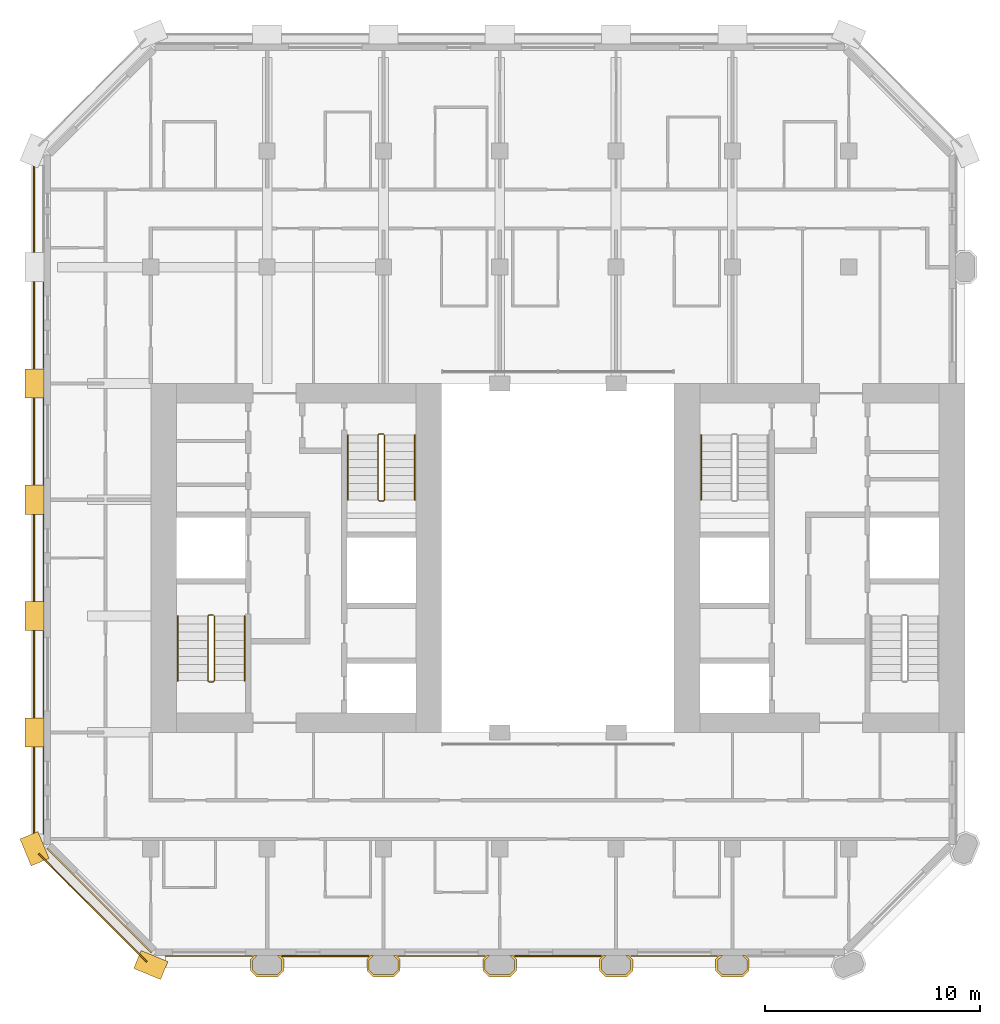
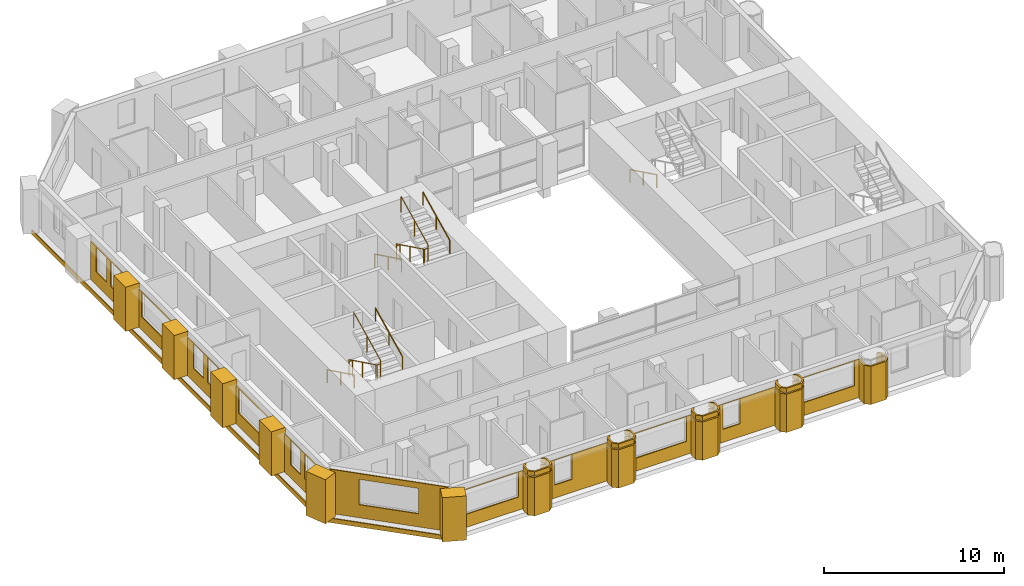
# One storey, part 12 of 13: 28 coverings, 7 railings.
"""IFC4 building model written with IfcOpenShell, lengths in metres."""

from ifc_helpers import new_model, si_unit, direction, frame, frame_2d, origin, origin_2d, place, context, subcontext, project, spatial, polyline, rectangle, circle, outline, extrude, material, layer, layer_set, type_object, element, save


model = new_model("IFC4")

# Units and contexts
model_context = context("Model", 3, precision=1e-05, world=origin(), true_north=direction((0.0, 1.0)))
body_context = subcontext(model_context, "Body", "Model", "MODEL_VIEW")
ifc_project = project(units=[si_unit("LENGTHUNIT", "METRE"), si_unit("AREAUNIT", "SQUARE_METRE"), si_unit("VOLUMEUNIT", "CUBIC_METRE"), si_unit("PLANEANGLEUNIT", "RADIAN"), si_unit("MASSUNIT", "GRAM", prefix="KILO")], contexts=[model_context])

# Site, building, storey
site_placement = place(None, origin())
site = spatial("IfcSite", under=ifc_project, at=site_placement, CompositionType="ELEMENT")
building_placement = place(site_placement, origin())
building = spatial("IfcBuilding", under=site, at=building_placement, Name="Tabaq Tower and Sports Hall", CompositionType="ELEMENT")
storey_placement = place(building_placement, frame((0.0, 0.0, 220.300048828125)))
storey = spatial("IfcBuildingStorey", under=building, at=storey_placement, Name="L55", CompositionType="ELEMENT", Elevation=220.300048828125)

# Coverings
ifc_material_1 = material(Name="Precast concrete C60/75", Category="concrete")
ifc_layer_1 = layer(ifc_material_1, 0.10009765625)
ifc_layer_set_1 = layer_set([ifc_layer_1], Name="Column cladding 100")
covering_type_1 = type_object("IfcCoveringType", Name="Column cladding 100", PredefinedType="CLADDING", material=ifc_layer_set_1)
covering_1_placement = place(storey_placement, origin())
element("IfcCovering", 1, at=covering_1_placement, inside=storey, type_object=covering_type_1, Name="Column cladding L55 PC-3B-H3", PredefinedType="CLADDING", context=body_context, shape_type="SweptSolid", body=[
    extrude(outline(polyline([(10.025390625, 5.666259765625), (10.208740234375, 5.849609375), (10.349365234375, 5.849609375), (10.124755859375, 5.625244140625), (10.124755859375, 5.1748046875), (10.349853515625, 4.94970703125), (11.250244140625, 4.94970703125), (11.475341796875, 5.1748046875), (11.475341796875, 5.625244140625), (11.250732421875, 5.849609375), (11.391357421875, 5.849609375), (11.57470703125, 5.666259765625), (11.57470703125, 5.1337890625), (11.291259765625, 4.850341796875), (10.30859375, 4.850341796875), (10.025390625, 5.1337890625), (10.025390625, 5.666259765625)])), origin(), (0.0, 0.0, 1.0), 2.599853515625),
])
covering_2_placement = place(storey_placement, frame((0.0, 0.0, 2.699951171875)))
element("IfcCovering", 2, at=covering_2_placement, inside=storey, type_object=covering_type_1, Name="Column cladding L55 PC-3B-H3 2", PredefinedType="CLADDING", context=body_context, shape_type="SweptSolid", body=[
    extrude(outline(polyline([(10.025390625, 5.666259765625), (10.208740234375, 5.849609375), (10.349365234375, 5.849609375), (10.124755859375, 5.625244140625), (10.124755859375, 5.1748046875), (10.349853515625, 4.94970703125), (11.250244140625, 4.94970703125), (11.475341796875, 5.1748046875), (11.475341796875, 5.625244140625), (11.250732421875, 5.849609375), (11.391357421875, 5.849609375), (11.57470703125, 5.666259765625), (11.57470703125, 5.1337890625), (11.291259765625, 4.850341796875), (10.30859375, 4.850341796875), (10.025390625, 5.1337890625), (10.025390625, 5.666259765625)])), origin(), (0.0, 0.0, 1.0), 0.300048828125),
])
covering_3_placement = place(storey_placement, origin())
element("IfcCovering", 3, at=covering_3_placement, inside=storey, type_object=covering_type_1, Name="Column cladding L55 PC-4B-H3", PredefinedType="CLADDING", context=body_context, shape_type="SweptSolid", body=[
    extrude(outline(polyline([(15.42529296875, 5.666259765625), (15.608642578125, 5.849609375), (15.749267578125, 5.849609375), (15.524658203125, 5.625244140625), (15.524658203125, 5.1748046875), (15.749755859375, 4.94970703125), (16.650146484375, 4.94970703125), (16.875244140625, 5.1748046875), (16.875244140625, 5.625244140625), (16.650634765625, 5.849609375), (16.791259765625, 5.849609375), (16.974609375, 5.666259765625), (16.974609375, 5.1337890625), (16.69140625, 4.850341796875), (15.708740234375, 4.850341796875), (15.42529296875, 5.1337890625), (15.42529296875, 5.666259765625)])), origin(), (0.0, 0.0, 1.0), 2.599853515625),
])
covering_4_placement = place(storey_placement, frame((0.0, 0.0, 2.699951171875)))
element("IfcCovering", 4, at=covering_4_placement, inside=storey, type_object=covering_type_1, Name="Column cladding L55 PC-4B-H3 2", PredefinedType="CLADDING", context=body_context, shape_type="SweptSolid", body=[
    extrude(outline(polyline([(15.42529296875, 5.666259765625), (15.608642578125, 5.849609375), (15.749267578125, 5.849609375), (15.524658203125, 5.625244140625), (15.524658203125, 5.1748046875), (15.749755859375, 4.94970703125), (16.650146484375, 4.94970703125), (16.875244140625, 5.1748046875), (16.875244140625, 5.625244140625), (16.650634765625, 5.849609375), (16.791259765625, 5.849609375), (16.974609375, 5.666259765625), (16.974609375, 5.1337890625), (16.69140625, 4.850341796875), (15.708740234375, 4.850341796875), (15.42529296875, 5.1337890625), (15.42529296875, 5.666259765625)])), origin(), (0.0, 0.0, 1.0), 0.300048828125),
])
covering_5_placement = place(storey_placement, origin())
element("IfcCovering", 5, at=covering_5_placement, inside=storey, type_object=covering_type_1, Name="Column cladding L55 PC-5B-H3", PredefinedType="CLADDING", context=body_context, shape_type="SweptSolid", body=[
    extrude(outline(polyline([(20.8251953125, 5.666259765625), (21.0087890625, 5.849609375), (21.149169921875, 5.849609375), (20.9248046875, 5.625244140625), (20.9248046875, 5.1748046875), (21.14990234375, 4.94970703125), (22.050048828125, 4.94970703125), (22.275390625, 5.1748046875), (22.275390625, 5.625244140625), (22.05078125, 5.849609375), (22.19140625, 5.849609375), (22.374755859375, 5.666259765625), (22.374755859375, 5.1337890625), (22.09130859375, 4.850341796875), (21.108642578125, 4.850341796875), (20.8251953125, 5.1337890625), (20.8251953125, 5.666259765625)])), origin(), (0.0, 0.0, 1.0), 2.599853515625),
])
covering_6_placement = place(storey_placement, frame((0.0, 0.0, 2.699951171875)))
element("IfcCovering", 6, at=covering_6_placement, inside=storey, type_object=covering_type_1, Name="Column cladding L55 PC-5B-H3 2", PredefinedType="CLADDING", context=body_context, shape_type="SweptSolid", body=[
    extrude(outline(polyline([(20.8251953125, 5.666259765625), (21.0087890625, 5.849609375), (21.149169921875, 5.849609375), (20.9248046875, 5.625244140625), (20.9248046875, 5.1748046875), (21.14990234375, 4.94970703125), (22.050048828125, 4.94970703125), (22.275390625, 5.1748046875), (22.275390625, 5.625244140625), (22.05078125, 5.849609375), (22.19140625, 5.849609375), (22.374755859375, 5.666259765625), (22.374755859375, 5.1337890625), (22.09130859375, 4.850341796875), (21.108642578125, 4.850341796875), (20.8251953125, 5.1337890625), (20.8251953125, 5.666259765625)])), origin(), (0.0, 0.0, 1.0), 0.300048828125),
])
covering_7_placement = place(storey_placement, origin())
element("IfcCovering", 7, at=covering_7_placement, inside=storey, type_object=covering_type_1, Name="Column cladding L55 PC-6B-H3", PredefinedType="CLADDING", context=body_context, shape_type="SweptSolid", body=[
    extrude(outline(polyline([(26.225341796875, 5.666259765625), (26.40869140625, 5.849609375), (26.54931640625, 5.849609375), (26.32470703125, 5.625244140625), (26.32470703125, 5.1748046875), (26.5498046875, 4.94970703125), (27.4501953125, 4.94970703125), (27.67529296875, 5.1748046875), (27.67529296875, 5.625244140625), (27.45068359375, 5.849609375), (27.59130859375, 5.849609375), (27.774658203125, 5.666259765625), (27.774658203125, 5.1337890625), (27.4912109375, 4.850341796875), (26.5087890625, 4.850341796875), (26.225341796875, 5.1337890625), (26.225341796875, 5.666259765625)])), origin(), (0.0, 0.0, 1.0), 2.599853515625),
])
covering_8_placement = place(storey_placement, frame((0.0, 0.0, 2.699951171875)))
element("IfcCovering", 8, at=covering_8_placement, inside=storey, type_object=covering_type_1, Name="Column cladding L55 PC-6B-H3 2", PredefinedType="CLADDING", context=body_context, shape_type="SweptSolid", body=[
    extrude(outline(polyline([(26.225341796875, 5.666259765625), (26.40869140625, 5.849609375), (26.54931640625, 5.849609375), (26.32470703125, 5.625244140625), (26.32470703125, 5.1748046875), (26.5498046875, 4.94970703125), (27.4501953125, 4.94970703125), (27.67529296875, 5.1748046875), (27.67529296875, 5.625244140625), (27.45068359375, 5.849609375), (27.59130859375, 5.849609375), (27.774658203125, 5.666259765625), (27.774658203125, 5.1337890625), (27.4912109375, 4.850341796875), (26.5087890625, 4.850341796875), (26.225341796875, 5.1337890625), (26.225341796875, 5.666259765625)])), origin(), (0.0, 0.0, 1.0), 0.300048828125),
])
covering_9_placement = place(storey_placement, origin())
element("IfcCovering", 9, at=covering_9_placement, inside=storey, type_object=covering_type_1, Name="Column cladding L55 PC-7B-H3", PredefinedType="CLADDING", context=body_context, shape_type="SweptSolid", body=[
    extrude(outline(polyline([(31.625244140625, 5.666259765625), (31.80859375, 5.849609375), (31.94921875, 5.849609375), (31.724609375, 5.625244140625), (31.724609375, 5.1748046875), (31.949951171875, 4.94970703125), (32.85009765625, 4.94970703125), (33.0751953125, 5.1748046875), (33.0751953125, 5.625244140625), (32.850830078125, 5.849609375), (32.9912109375, 5.849609375), (33.1748046875, 5.666259765625), (33.1748046875, 5.1337890625), (32.891357421875, 4.850341796875), (31.90869140625, 4.850341796875), (31.625244140625, 5.1337890625), (31.625244140625, 5.666259765625)])), origin(), (0.0, 0.0, 1.0), 2.599853515625),
])
ifc_material_2 = material(Name="Precast concrete C60/75", Category="concrete")
ifc_layer_2 = layer(ifc_material_2, 0.06005859375)
ifc_layer_set_2 = layer_set([ifc_layer_2], Name="Edge beam cladding 60")
covering_type_2 = type_object("IfcCoveringType", Name="Edge beam cladding 60", PredefinedType="CLADDING", material=ifc_layer_set_2)
covering_10_placement = place(storey_placement, frame((-0.030029296875, 42.9013671875, -0.300048828125), z_axis=(0.0, 0.0, 1.0), x_axis=(0.0, -1.0, 0.0)))
element("IfcCovering", 10, at=covering_10_placement, inside=storey, type_object=covering_type_2, Name="Edge beam cladding L55 4", PredefinedType="CLADDING", context=body_context, shape_type="SweptSolid", body=[
    extrude(rectangle(XDim=31.802734375, YDim=0.06005859375, at=frame_2d((15.9013671875, 0.0))), origin(), (0.0, 0.0, 1.0), 0.300048828125),
])
covering_11_placement = place(storey_placement, frame((0.18994140625, 10.567626953125, -0.300048828125), z_axis=(0.0, 0.0, 1.0), x_axis=(0.707106781187, -0.707106781187, 0.0)))
element("IfcCovering", 11, at=covering_11_placement, inside=storey, type_object=covering_type_2, Name="Edge beam cladding L55 5", PredefinedType="CLADDING", context=body_context, shape_type="SweptSolid", body=[
    extrude(rectangle(XDim=7.087890625, YDim=0.06005859375, at=frame_2d((3.5439453125, 0.0))), origin(), (0.0, 0.0, 1.0), 0.300048828125),
])
ifc_material_3 = material(Name="White precast concrete C60/75", Category="concrete")
covering_type_3 = type_object("IfcCoveringType", Name="Pier cladding hung 1350x900", PredefinedType="CLADDING", material=ifc_material_3)
for number, where, z_axis, x_axis, name in (
    (12, (-0.25830078125, 11.423583984375, 0.0), (0.0, 0.0, 1.0), (0.382649923473, -0.923893411637, 0.0), "Hung pier cladding 0/2"),
    (13, (0.0, 16.875, 0.0), (0.0, 0.0, 1.0), (0.0, -1.0, 0.0), "Hung pier cladding 0/3"),
):
    element("IfcCovering", number, at=place(storey_placement, frame(where, z_axis=z_axis, x_axis=x_axis)), inside=storey, type_object=covering_type_3, Name=name, PredefinedType="CLADDING", context=body_context, shape_type="SweptSolid", body=[
        extrude(rectangle(XDim=1.35009765625, YDim=0.89990234375, at=frame_2d((0.675048828125, 0.0))), origin(), (0.0, 0.0, 1.0), 3.0),
    ])
covering_12_placement = place(storey_placement, frame((0.0, 22.27490234375, 0.0), z_axis=(0.0, 0.0, 1.0), x_axis=(0.0, -1.0, 0.0)))
element("IfcCovering", 14, at=covering_12_placement, inside=storey, type_object=covering_type_3, Name="Hung pier cladding 0/4", PredefinedType="CLADDING", context=body_context, shape_type="SweptSolid", body=[
    extrude(rectangle(XDim=1.349853515625, YDim=0.89990234375, at=frame_2d((0.6748046875, 0.0))), origin(), (0.0, 0.0, 1.0), 3.0),
])
covering_13_placement = place(storey_placement, frame((0.0, 27.675048828125, 0.0), z_axis=(0.0, 0.0, 1.0), x_axis=(0.0, -1.0, 0.0)))
element("IfcCovering", 15, at=covering_13_placement, inside=storey, type_object=covering_type_3, Name="Hung pier cladding 0/5", PredefinedType="CLADDING", context=body_context, shape_type="SweptSolid", body=[
    extrude(rectangle(XDim=1.35009765625, YDim=0.89990234375, at=frame_2d((0.675048828125, 0.0))), origin(), (0.0, 0.0, 1.0), 3.0),
])
covering_14_placement = place(storey_placement, frame((0.0, 33.074951171875, 0.0), z_axis=(0.0, 0.0, 1.0), x_axis=(0.0, -1.0, 0.0)))
element("IfcCovering", 16, at=covering_14_placement, inside=storey, type_object=covering_type_3, Name="Hung pier cladding 0/6", PredefinedType="CLADDING", context=body_context, shape_type="SweptSolid", body=[
    extrude(rectangle(XDim=1.349853515625, YDim=0.89990234375, at=frame_2d((0.6748046875, 0.0))), origin(), (0.0, 0.0, 1.0), 3.0),
])
covering_15_placement = place(storey_placement, frame((4.7763671875, 5.658203125, 0.0), z_axis=(0.0, 0.0, 1.0), x_axis=(0.923893411637, -0.382649923473, 0.0)))
element("IfcCovering", 17, at=covering_15_placement, inside=storey, type_object=covering_type_3, Name="Hung pier cladding 1/1", PredefinedType="CLADDING", context=body_context, shape_type="SweptSolid", body=[
    extrude(rectangle(XDim=1.35009765625, YDim=0.89990234375, at=frame_2d((0.675048828125, 0.0))), origin(), (0.0, 0.0, 1.0), 3.0),
])

# Railings
ifc_material_4 = material(Name="Stainless steel", Category="steel")
railing_type_1 = type_object("IfcRailingType", Name="Stair guard", PredefinedType="GUARDRAIL", material=ifc_material_4)
railing_1_placement = place(storey_placement, frame((8.300048828125, 21.64990234375, 0.0)))
element("IfcRailing", 18, at=railing_1_placement, inside=storey, type_object=railing_type_1, Name="L55 ST1 stair guard 1", PredefinedType="GUARDRAIL", context=body_context, shape_type="SweptSolid", body=[
    extrude(circle(Radius=0.02392578125, at=origin_2d()), frame((0.0, 0.0, 1.076171875), z_axis=(-1.0, 0.0, 0.0), x_axis=(0.0, -1.0, 0.0)), (0.0, 0.0, 1.0), 0.199951171875),
    extrude(circle(Radius=0.02392578125, at=origin_2d()), frame((-0.199951171875, 0.0, 1.076171875), z_axis=(-0.254733673405, -0.25349107012, 0.933195066962), x_axis=(0.705375805398, -0.708833529934, 0.0)), (0.0, 0.0, 1.0), 0.196533203125),
    extrude(circle(Radius=0.02392578125, at=origin_2d()), frame((-0.25, -0.0498046875, 1.25927734375), z_axis=(0.0, -0.898397823093, 0.439182594671), x_axis=(1.0, 0.0, 0.0)), (0.0, 0.0, 1.0), 3.33935546875),
    extrude(circle(Radius=0.02392578125, at=origin_2d()), frame((-0.25, -3.0498046875, 2.72607421875), z_axis=(0.707106781187, -0.707106781187, 0.0), x_axis=(0.707106781187, 0.707106781187, 0.0)), (0.0, 0.0, 1.0), 0.07080078125),
    extrude(circle(Radius=0.02392578125, at=origin_2d()), frame((-0.199951171875, -3.099853515625, 2.72607421875), z_axis=(1.0, 0.0, 0.0), x_axis=(0.0, 1.0, 0.0)), (0.0, 0.0, 1.0), 0.199951171875),
    extrude(circle(Radius=0.02392578125, at=origin_2d()), frame((0.0, -3.099853515625, 2.72607421875), z_axis=(0.254653276557, 0.254653276557, 0.932900539971), x_axis=(-0.707106781187, 0.707106781187, 0.0)), (0.0, 0.0, 1.0), 0.196533203125),
    extrude(circle(Radius=0.02392578125, at=origin_2d()), frame((0.050048828125, -3.0498046875, 2.9091796875), z_axis=(0.0, 0.898368975038, 0.439241601728), x_axis=(-1.0, 0.0, 0.0)), (0.0, 0.0, 1.0), 3.33935546875),
    extrude(circle(Radius=0.02099609375, at=origin_2d()), origin(), (0.0, 0.0, 1.0), 1.052001953125),
    extrude(circle(Radius=0.02099609375, at=origin_2d()), frame((-0.199951171875, 0.0, 0.0)), (0.0, 0.0, 1.0), 1.052001953125),
    extrude(circle(Radius=0.02099609375, at=origin_2d()), frame((-0.25, -0.0498046875, 0.183349609375)), (0.0, 0.0, 1.0), 1.052001953125),
    extrude(circle(Radius=0.02099609375, at=origin_2d()), frame((-0.25, -1.5498046875, 0.91650390625)), (0.0, 0.0, 1.0), 1.052001953125),
    extrude(circle(Radius=0.02099609375, at=origin_2d()), frame((-0.25, -3.0498046875, 1.64990234375)), (0.0, 0.0, 1.0), 1.052001953125),
    extrude(circle(Radius=0.02099609375, at=origin_2d()), frame((-0.199951171875, -3.099853515625, 1.64990234375)), (0.0, 0.0, 1.0), 1.052001953125),
    extrude(circle(Radius=0.02099609375, at=origin_2d()), frame((0.0, -3.099853515625, 1.64990234375)), (0.0, 0.0, 1.0), 1.052001953125),
    extrude(circle(Radius=0.02099609375, at=origin_2d()), frame((0.050048828125, -3.0498046875, 1.833251953125)), (0.0, 0.0, 1.0), 1.052001953125),
    extrude(circle(Radius=0.02099609375, at=origin_2d()), frame((0.050048828125, -1.5498046875, 2.566650390625)), (0.0, 0.0, 1.0), 1.052001953125),
    extrude(circle(Radius=0.02099609375, at=origin_2d()), frame((0.050048828125, -0.0498046875, 3.300048828125)), (0.0, 0.0, 1.0), 1.052001953125),
])
railing_2_placement = place(storey_placement, frame((16.199951171875, 30.050048828125, 0.0)))
element("IfcRailing", 19, at=railing_2_placement, inside=storey, type_object=railing_type_1, Name="L55 ST2 stair guard 1", PredefinedType="GUARDRAIL", context=body_context, shape_type="SweptSolid", body=[
    extrude(circle(Radius=0.02392578125, at=origin_2d()), frame((0.0, 0.0, 1.076171875), z_axis=(-1.0, 0.0, 0.0), x_axis=(0.0, -1.0, 0.0)), (0.0, 0.0, 1.0), 0.199951171875),
    extrude(circle(Radius=0.02392578125, at=origin_2d()), frame((-0.199951171875, 0.0, 1.076171875), z_axis=(-0.254653276557, -0.254653276557, 0.932900539971), x_axis=(0.707106781187, -0.707106781187, 0.0)), (0.0, 0.0, 1.0), 0.196533203125),
    extrude(circle(Radius=0.02392578125, at=origin_2d()), frame((-0.25, -0.050048828125, 1.25927734375), z_axis=(0.0, -0.898397823093, 0.439182594671), x_axis=(1.0, 0.0, 0.0)), (0.0, 0.0, 1.0), 3.33935546875),
    extrude(circle(Radius=0.02392578125, at=origin_2d()), frame((-0.25, -3.050048828125, 2.72607421875), z_axis=(0.707106781187, -0.707106781187, 0.0), x_axis=(0.707106781187, 0.707106781187, 0.0)), (0.0, 0.0, 1.0), 0.07080078125),
    extrude(circle(Radius=0.02392578125, at=origin_2d()), frame((-0.199951171875, -3.10009765625, 2.72607421875), z_axis=(1.0, 0.0, 0.0), x_axis=(0.0, 1.0, 0.0)), (0.0, 0.0, 1.0), 0.199951171875),
    extrude(circle(Radius=0.02392578125, at=origin_2d()), frame((0.0, -3.10009765625, 2.72607421875), z_axis=(0.254653276557, 0.254653276557, 0.932900539971), x_axis=(-0.707106781187, 0.707106781187, 0.0)), (0.0, 0.0, 1.0), 0.196533203125),
    extrude(circle(Radius=0.02392578125, at=origin_2d()), frame((0.050048828125, -3.050048828125, 2.9091796875), z_axis=(0.0, 0.898368975038, 0.439241601728), x_axis=(-1.0, 0.0, 0.0)), (0.0, 0.0, 1.0), 3.33935546875),
    extrude(circle(Radius=0.02099609375, at=origin_2d()), origin(), (0.0, 0.0, 1.0), 1.052001953125),
    extrude(circle(Radius=0.02099609375, at=origin_2d()), frame((-0.199951171875, 0.0, 0.0)), (0.0, 0.0, 1.0), 1.052001953125),
    extrude(circle(Radius=0.02099609375, at=origin_2d()), frame((-0.25, -0.050048828125, 0.183349609375)), (0.0, 0.0, 1.0), 1.052001953125),
    extrude(circle(Radius=0.02099609375, at=origin_2d()), frame((-0.25, -1.550048828125, 0.91650390625)), (0.0, 0.0, 1.0), 1.052001953125),
    extrude(circle(Radius=0.02099609375, at=origin_2d()), frame((-0.25, -3.050048828125, 1.64990234375)), (0.0, 0.0, 1.0), 1.052001953125),
    extrude(circle(Radius=0.02099609375, at=origin_2d()), frame((-0.199951171875, -3.10009765625, 1.64990234375)), (0.0, 0.0, 1.0), 1.052001953125),
    extrude(circle(Radius=0.02099609375, at=origin_2d()), frame((0.0, -3.10009765625, 1.64990234375)), (0.0, 0.0, 1.0), 1.052001953125),
    extrude(circle(Radius=0.02099609375, at=origin_2d()), frame((0.050048828125, -3.050048828125, 1.833251953125)), (0.0, 0.0, 1.0), 1.052001953125),
    extrude(circle(Radius=0.02099609375, at=origin_2d()), frame((0.050048828125, -1.550048828125, 2.566650390625)), (0.0, 0.0, 1.0), 1.052001953125),
    extrude(circle(Radius=0.02099609375, at=origin_2d()), frame((0.050048828125, -0.050048828125, 3.300048828125)), (0.0, 0.0, 1.0), 1.052001953125),
])
ifc_material_5 = material(Name="Stainless steel", Category="steel")
railing_type_2 = type_object("IfcRailingType", Name="Stair handrail", PredefinedType="HANDRAIL", material=ifc_material_5)
railing_3_placement = place(storey_placement, frame((6.64990234375, 21.60009765625, 0.183349609375)))
element("IfcRailing", 20, at=railing_3_placement, inside=storey, type_object=railing_type_2, Name="L55 ST1 stair handrail 1", PredefinedType="HANDRAIL", context=body_context, shape_type="SweptSolid", body=[
    extrude(circle(Radius=0.02392578125, at=origin_2d()), frame((0.0, 0.0, 0.8759765625), z_axis=(0.0, -0.898397823093, 0.439182594671), x_axis=(1.0, 0.0, 0.0)), (0.0, 0.0, 1.0), 3.33935546875),
    extrude(circle(Radius=0.02099609375, at=origin_2d()), origin(), (0.0, 0.0, 1.0), 0.851806640625),
    extrude(circle(Radius=0.02099609375, at=origin_2d()), frame((0.0, -1.5, 0.7333984375)), (0.0, 0.0, 1.0), 0.851806640625),
    extrude(circle(Radius=0.02099609375, at=origin_2d()), frame((0.0, -3.0, 1.466552734375)), (0.0, 0.0, 1.0), 0.851806640625),
])
railing_4_placement = place(storey_placement, frame((9.75, 18.60009765625, 1.833251953125)))
element("IfcRailing", 21, at=railing_4_placement, inside=storey, type_object=railing_type_2, Name="L55 ST1 stair handrail 2", PredefinedType="HANDRAIL", context=body_context, shape_type="SweptSolid", body=[
    extrude(circle(Radius=0.02392578125, at=origin_2d()), frame((0.0, 0.0, 0.8759765625), z_axis=(0.0, 0.898368975038, 0.439241601728), x_axis=(-1.0, 0.0, 0.0)), (0.0, 0.0, 1.0), 3.33935546875),
    extrude(circle(Radius=0.02099609375, at=origin_2d()), origin(), (0.0, 0.0, 1.0), 0.851806640625),
    extrude(circle(Radius=0.02099609375, at=origin_2d()), frame((0.0, 1.5, 0.7333984375)), (0.0, 0.0, 1.0), 0.851806640625),
    extrude(circle(Radius=0.02099609375, at=origin_2d()), frame((0.0, 3.0, 1.466796875)), (0.0, 0.0, 1.0), 0.851806640625),
])
railing_5_placement = place(storey_placement, frame((14.550048828125, 30.0, 0.183349609375)))
element("IfcRailing", 22, at=railing_5_placement, inside=storey, type_object=railing_type_2, Name="L55 ST2 stair handrail 1", PredefinedType="HANDRAIL", context=body_context, shape_type="SweptSolid", body=[
    extrude(circle(Radius=0.02392578125, at=origin_2d()), frame((0.0, 0.0, 0.8759765625), z_axis=(0.0, -0.898397823093, 0.439182594671), x_axis=(1.0, 0.0, 0.0)), (0.0, 0.0, 1.0), 3.33935546875),
    extrude(circle(Radius=0.02099609375, at=origin_2d()), origin(), (0.0, 0.0, 1.0), 0.851806640625),
    extrude(circle(Radius=0.02099609375, at=origin_2d()), frame((0.0, -1.5, 0.7333984375)), (0.0, 0.0, 1.0), 0.851806640625),
    extrude(circle(Radius=0.02099609375, at=origin_2d()), frame((0.0, -3.0, 1.466552734375)), (0.0, 0.0, 1.0), 0.851806640625),
])
railing_6_placement = place(storey_placement, frame((17.64990234375, 27.0, 1.833251953125)))
element("IfcRailing", 23, at=railing_6_placement, inside=storey, type_object=railing_type_2, Name="L55 ST2 stair handrail 2", PredefinedType="HANDRAIL", context=body_context, shape_type="SweptSolid", body=[
    extrude(circle(Radius=0.02392578125, at=origin_2d()), frame((0.0, 0.0, 0.8759765625), z_axis=(0.0, 0.898368975038, 0.439241601728), x_axis=(-1.0, 0.0, 0.0)), (0.0, 0.0, 1.0), 3.33935546875),
    extrude(circle(Radius=0.02099609375, at=origin_2d()), origin(), (0.0, 0.0, 1.0), 0.851806640625),
    extrude(circle(Radius=0.02099609375, at=origin_2d()), frame((0.0, 1.5, 0.7333984375)), (0.0, 0.0, 1.0), 0.851806640625),
    extrude(circle(Radius=0.02099609375, at=origin_2d()), frame((0.0, 3.0, 1.466796875)), (0.0, 0.0, 1.0), 0.851806640625),
])
railing_7_placement = place(storey_placement, frame((30.949951171875, 30.0, 0.183349609375)))
element("IfcRailing", 24, at=railing_7_placement, inside=storey, type_object=railing_type_2, Name="L55 ST4 stair handrail 1", PredefinedType="HANDRAIL", context=body_context, shape_type="SweptSolid", body=[
    extrude(circle(Radius=0.02392578125, at=origin_2d()), frame((0.0, 0.0, 0.8759765625), z_axis=(0.0, -0.898397823093, 0.439182594671), x_axis=(1.0, 0.0, 0.0)), (0.0, 0.0, 1.0), 3.33935546875),
    extrude(circle(Radius=0.02099609375, at=origin_2d()), origin(), (0.0, 0.0, 1.0), 0.851806640625),
    extrude(circle(Radius=0.02099609375, at=origin_2d()), frame((0.0, -1.5, 0.7333984375)), (0.0, 0.0, 1.0), 0.851806640625),
    extrude(circle(Radius=0.02099609375, at=origin_2d()), frame((0.0, -3.0, 1.466552734375)), (0.0, 0.0, 1.0), 0.851806640625),
])

# Coverings
ifc_material_6 = material(Name="Precast concrete C60/75", Category="concrete")
ifc_layer_3 = layer(ifc_material_6, 0.06005859375)
ifc_layer_set_3 = layer_set([ifc_layer_3], Name="White precast cladding panel 60 C60/75")
covering_type_4 = type_object("IfcCoveringType", Name="White precast cladding panel 60 C60/75", PredefinedType="CLADDING", material=ifc_layer_set_3)
covering_16_placement = place(storey_placement, frame((6.06494140625, 5.820068359375, 0.0), z_axis=(0.0, 0.0, 1.0), x_axis=(1.0, 0.0, 0.0)))
element("IfcCovering", 25, at=covering_16_placement, inside=storey, type_object=covering_type_4, Name="White precast cladding panel L55 wall00", PredefinedType="CLADDING", context=body_context, shape_type="SweptSolid", body=[
    extrude(outline(polyline([(0.0, 0.0), (4.050048828125, 0.0), (4.050048828125, 2.58984375), (0.0, 2.58984375), (0.0, 0.0)]), holes=[polyline([(3.7451171875, 0.889892578125), (0.324951171875, 0.889892578125), (0.324951171875, 2.56005859375), (3.7451171875, 2.56005859375), (3.7451171875, 0.889892578125)])]), frame((0.0, 0.030029296875, 0.0), z_axis=(0.0, -1.0, 0.0), x_axis=(1.0, 0.0, 0.0)), (0.0, 0.0, 1.0), 0.06005859375),
])
covering_17_placement = place(storey_placement, frame((11.485107421875, 5.820068359375, 0.0), z_axis=(0.0, 0.0, 1.0), x_axis=(1.0, 0.0, 0.0)))
element("IfcCovering", 26, at=covering_17_placement, inside=storey, type_object=covering_type_4, Name="White precast cladding panel L55 wall00 2", PredefinedType="CLADDING", context=body_context, shape_type="SweptSolid", body=[
    extrude(outline(polyline([(0.0, 0.0), (4.02978515625, 0.0), (4.02978515625, 2.58984375), (0.0, 2.58984375), (0.0, 0.0)]), holes=[polyline([(1.77490234375, 0.889892578125), (0.655029296875, 0.889892578125), (0.655029296875, 2.56005859375), (1.77490234375, 2.56005859375), (1.77490234375, 0.889892578125)])]), frame((0.0, 0.030029296875, 0.0), z_axis=(0.0, -1.0, 0.0), x_axis=(1.0, 0.0, 0.0)), (0.0, 0.0, 1.0), 0.06005859375),
])
covering_18_placement = place(storey_placement, frame((16.885009765625, 5.820068359375, 0.0), z_axis=(0.0, 0.0, 1.0), x_axis=(1.0, 0.0, 0.0)))
element("IfcCovering", 27, at=covering_18_placement, inside=storey, type_object=covering_type_4, Name="White precast cladding panel L55 wall00 3", PredefinedType="CLADDING", context=body_context, shape_type="SweptSolid", body=[
    extrude(outline(polyline([(0.0, 0.0), (4.030029296875, 0.0), (4.030029296875, 2.58984375), (0.0, 2.58984375), (0.0, 0.0)]), holes=[polyline([(3.72509765625, 0.889892578125), (0.304931640625, 0.889892578125), (0.304931640625, 2.56005859375), (3.72509765625, 2.56005859375), (3.72509765625, 0.889892578125)])]), frame((0.0, 0.030029296875, 0.0), z_axis=(0.0, -1.0, 0.0), x_axis=(1.0, 0.0, 0.0)), (0.0, 0.0, 1.0), 0.06005859375),
])
covering_19_placement = place(storey_placement, frame((22.284912109375, 5.820068359375, 0.0), z_axis=(0.0, 0.0, 1.0), x_axis=(1.0, 0.0, 0.0)))
element("IfcCovering", 28, at=covering_19_placement, inside=storey, type_object=covering_type_4, Name="White precast cladding panel L55 wall00 4", PredefinedType="CLADDING", context=body_context, shape_type="SweptSolid", body=[
    extrude(outline(polyline([(0.0, 0.0), (4.030029296875, 0.0), (4.030029296875, 2.58984375), (0.0, 2.58984375), (0.0, 0.0)]), holes=[polyline([(1.77490234375, 0.889892578125), (0.655029296875, 0.889892578125), (0.655029296875, 2.56005859375), (1.77490234375, 2.56005859375), (1.77490234375, 0.889892578125)])]), frame((0.0, 0.030029296875, 0.0), z_axis=(0.0, -1.0, 0.0), x_axis=(1.0, 0.0, 0.0)), (0.0, 0.0, 1.0), 0.06005859375),
])
covering_20_placement = place(storey_placement, frame((27.68505859375, 5.820068359375, 0.0), z_axis=(0.0, 0.0, 1.0), x_axis=(1.0, 0.0, 0.0)))
element("IfcCovering", 29, at=covering_20_placement, inside=storey, type_object=covering_type_4, Name="White precast cladding panel L55 wall00 5", PredefinedType="CLADDING", context=body_context, shape_type="SweptSolid", body=[
    extrude(outline(polyline([(0.0, 0.0), (4.030029296875, 0.0), (4.030029296875, 2.58984375), (0.0, 2.58984375), (0.0, 0.0)]), holes=[polyline([(3.72509765625, 0.889892578125), (0.304931640625, 0.889892578125), (0.304931640625, 2.56005859375), (3.72509765625, 2.56005859375), (3.72509765625, 0.889892578125)])]), frame((0.0, 0.030029296875, 0.0), z_axis=(0.0, -1.0, 0.0), x_axis=(1.0, 0.0, 0.0)), (0.0, 0.0, 1.0), 0.06005859375),
])
covering_21_placement = place(storey_placement, frame((0.419921875, 37.114990234375, 0.0), z_axis=(0.0, 0.0, 1.0), x_axis=(0.0, -1.0, 0.0)))
element("IfcCovering", 30, at=covering_21_placement, inside=storey, type_object=covering_type_4, Name="White precast cladding panel L55 wall06 2", PredefinedType="CLADDING", context=body_context, shape_type="SweptSolid", body=[
    extrude(outline(polyline([(0.0, 0.0), (4.030029296875, 0.0), (4.030029296875, 2.58984375), (0.0, 2.58984375), (0.0, 0.0)]), holes=[polyline([(0.655029296875, 0.889892578125), (0.655029296875, 2.56005859375), (1.77490234375, 2.56005859375), (1.77490234375, 0.889892578125), (0.655029296875, 0.889892578125)]), polyline([(2.2548828125, 0.889892578125), (2.2548828125, 2.56005859375), (3.375, 2.56005859375), (3.375, 0.889892578125), (2.2548828125, 0.889892578125)])]), frame((0.0, 0.030029296875, 0.0), z_axis=(0.0, -1.0, 0.0), x_axis=(1.0, 0.0, 0.0)), (0.0, 0.0, 1.0), 0.06005859375),
])
covering_22_placement = place(storey_placement, frame((0.419921875, 31.715087890625, 0.0), z_axis=(0.0, 0.0, 1.0), x_axis=(0.0, -1.0, 0.0)))
element("IfcCovering", 31, at=covering_22_placement, inside=storey, type_object=covering_type_4, Name="White precast cladding panel L55 wall06 3", PredefinedType="CLADDING", context=body_context, shape_type="SweptSolid", body=[
    extrude(outline(polyline([(0.0, 0.0), (4.030029296875, 0.0), (4.030029296875, 2.58984375), (0.0, 2.58984375), (0.0, 0.0)]), holes=[polyline([(3.72509765625, 0.889892578125), (0.304931640625, 0.889892578125), (0.304931640625, 2.56005859375), (3.72509765625, 2.56005859375), (3.72509765625, 0.889892578125)])]), frame((0.0, 0.030029296875, 0.0), z_axis=(0.0, -1.0, 0.0), x_axis=(1.0, 0.0, 0.0)), (0.0, 0.0, 1.0), 0.06005859375),
])
covering_23_placement = place(storey_placement, frame((0.419921875, 26.31494140625, 0.0), z_axis=(0.0, 0.0, 1.0), x_axis=(0.0, -1.0, 0.0)))
element("IfcCovering", 32, at=covering_23_placement, inside=storey, type_object=covering_type_4, Name="White precast cladding panel L55 wall06 4", PredefinedType="CLADDING", context=body_context, shape_type="SweptSolid", body=[
    extrude(outline(polyline([(0.0, 0.0), (4.030029296875, 0.0), (4.030029296875, 2.58984375), (0.0, 2.58984375), (0.0, 0.0)]), holes=[polyline([(0.655029296875, 0.889892578125), (0.655029296875, 2.56005859375), (1.77490234375, 2.56005859375), (1.77490234375, 0.889892578125), (0.655029296875, 0.889892578125)]), polyline([(2.2548828125, 0.889892578125), (2.2548828125, 2.56005859375), (3.375, 2.56005859375), (3.375, 0.889892578125), (2.2548828125, 0.889892578125)])]), frame((0.0, 0.030029296875, 0.0), z_axis=(0.0, -1.0, 0.0), x_axis=(1.0, 0.0, 0.0)), (0.0, 0.0, 1.0), 0.06005859375),
])
covering_24_placement = place(storey_placement, frame((0.419921875, 20.9150390625, 0.0), z_axis=(0.0, 0.0, 1.0), x_axis=(0.0, -1.0, 0.0)))
element("IfcCovering", 33, at=covering_24_placement, inside=storey, type_object=covering_type_4, Name="White precast cladding panel L55 wall06 5", PredefinedType="CLADDING", context=body_context, shape_type="SweptSolid", body=[
    extrude(outline(polyline([(0.0, 0.0), (4.030029296875, 0.0), (4.030029296875, 2.58984375), (0.0, 2.58984375), (0.0, 0.0)]), holes=[polyline([(3.72509765625, 0.889892578125), (0.304931640625, 0.889892578125), (0.304931640625, 2.56005859375), (3.72509765625, 2.56005859375), (3.72509765625, 0.889892578125)])]), frame((0.0, 0.030029296875, 0.0), z_axis=(0.0, -1.0, 0.0), x_axis=(1.0, 0.0, 0.0)), (0.0, 0.0, 1.0), 0.06005859375),
])
covering_25_placement = place(storey_placement, frame((0.419921875, 15.514892578125, 0.0), z_axis=(0.0, 0.0, 1.0), x_axis=(0.0, -1.0, 0.0)))
element("IfcCovering", 34, at=covering_25_placement, inside=storey, type_object=covering_type_4, Name="White precast cladding panel L55 wall06 6", PredefinedType="CLADDING", context=body_context, shape_type="SweptSolid", body=[
    extrude(outline(polyline([(0.0, 0.0), (4.0498046875, 0.0), (4.0498046875, 2.58984375), (0.0, 2.58984375), (0.0, 0.0)]), holes=[polyline([(0.655029296875, 0.889892578125), (0.655029296875, 2.56005859375), (1.77490234375, 2.56005859375), (1.77490234375, 0.889892578125), (0.655029296875, 0.889892578125)]), polyline([(2.2548828125, 0.889892578125), (2.2548828125, 2.56005859375), (3.375, 2.56005859375), (3.375, 0.889892578125), (2.2548828125, 0.889892578125)])]), frame((0.0, 0.030029296875, 0.0), z_axis=(0.0, -1.0, 0.0), x_axis=(1.0, 0.0, 0.0)), (0.0, 0.0, 1.0), 0.06005859375),
])
covering_26_placement = place(storey_placement, frame((0.57177734375, 10.822265625, 0.0), z_axis=(0.0, 0.0, 1.0), x_axis=(0.707106781187, -0.707106781187, 0.0)))
element("IfcCovering", 35, at=covering_26_placement, inside=storey, type_object=covering_type_4, Name="White precast cladding panel L55 wall07", PredefinedType="CLADDING", context=body_context, shape_type="SweptSolid", body=[
    extrude(outline(polyline([(0.0, 0.0), (6.85986328125, 0.0), (6.85986328125, 3.0), (0.0, 3.0), (0.0, 0.0)]), holes=[polyline([(1.7197265625, 0.889892578125), (1.7197265625, 2.60986328125), (5.139892578125, 2.60986328125), (5.139892578125, 0.889892578125), (1.7197265625, 0.889892578125)])]), frame((0.0, 0.030029296875, 0.0), z_axis=(0.0, -1.0, 0.0), x_axis=(1.0, 0.0, 0.0)), (0.0, 0.0, 1.0), 0.06005859375),
])

save(model, "model.ifc")
